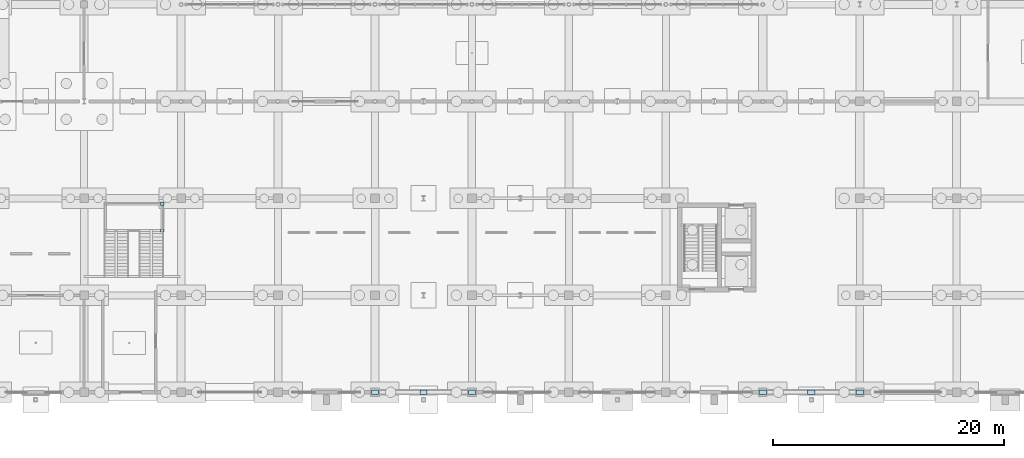
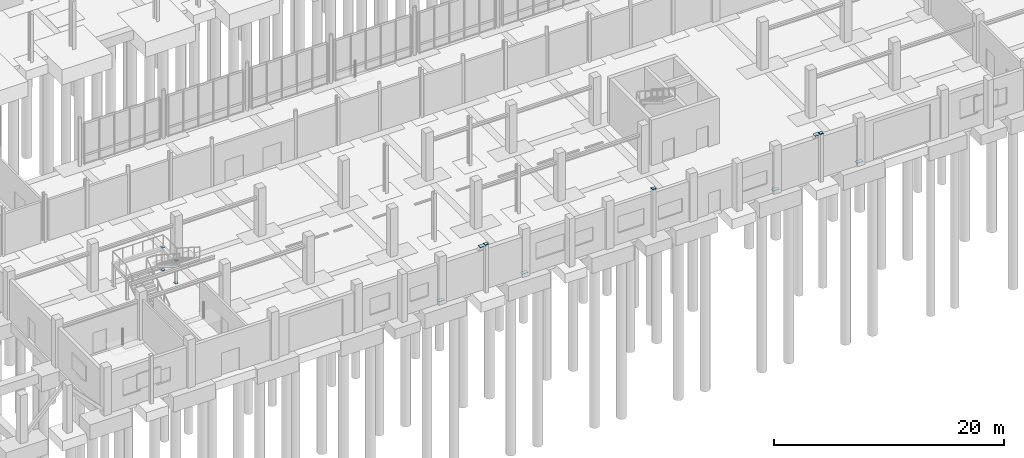
# One storey, part 75 of 119: 13 plates.
"""IFC4 building model written with IfcOpenShell, lengths in metres."""

from ifc_helpers import new_model, si_unit, derived_unit, direction, frame, origin, origin_2d, place, context, subcontext, project, spatial, rectangle, extrude, material, layer, layer_set, type_object, element, save


model = new_model("IFC4")

# Units and contexts
model_context = context("Model", 3, precision=1e-05, world=origin(), true_north=direction((0.0, 1.0)))
body_context = subcontext(model_context, "Body", "Model", "MODEL_VIEW")
ifc_project = project(units=[si_unit("LENGTHUNIT", "METRE"), si_unit("AREAUNIT", "SQUARE_METRE"), si_unit("VOLUMEUNIT", "CUBIC_METRE"), si_unit("PLANEANGLEUNIT", "RADIAN"), si_unit("MASSUNIT", "GRAM", prefix="KILO"), derived_unit("THERMALTRANSMITTANCEUNIT", [(si_unit("MASSUNIT", "GRAM", prefix="KILO"), 1), (si_unit("TIMEUNIT", "SECOND"), -3), (si_unit("THERMODYNAMICTEMPERATUREUNIT", "KELVIN"), -1)])], contexts=[model_context])

# Site, building, storey
site_placement = place(None, origin())
site = spatial("IfcSite", under=ifc_project, at=site_placement, CompositionType="ELEMENT")
building_placement = place(site_placement, origin())
building = spatial("IfcBuilding", under=site, at=building_placement, Name="Makaiwela Harbour Ferry Terminal", CompositionType="ELEMENT")
storey_placement = place(building_placement, origin())
storey = spatial("IfcBuildingStorey", under=building, at=storey_placement, Name="L00", CompositionType="ELEMENT", Elevation=0.0)

# Plates
ifc_material = material(Name="Steel ASTM A572 Grade 50", Category="steel")
ifc_layer_1 = layer(ifc_material, 0.02001953125)
ifc_layer_set_1 = layer_set([ifc_layer_1], Name="Steel ASTM A572 Grade 50")
plate_type_1 = type_object("IfcPlateType", Name="STR-PLT-CAP1", PredefinedType="SHEET", material=ifc_layer_set_1)
for number, where, z_axis, x_axis, name in (
    (1, (78.159912109375, 14.02001953125, -0.01708984375), (0.0, 0.0, 1.0), (1.0, 0.0, 0.0), "Post Sealing Cap Plate PC-0003"),
    (2, (78.159912109375, 14.02001953125, 2.39697265625), (0.0, 0.0, 1.0), (1.0, 0.0, 0.0), "Post Sealing Cap Plate PC-0004"),
    (3, (78.159912109375, 16.330078125, -0.01708984375), (0.0, 0.0, 1.0), (1.0, 0.0, 0.0), "Post Sealing Cap Plate PC-0007"),
    (4, (78.159912109375, 16.330078125, 2.39697265625), (0.0, 0.0, 1.0), (1.0, 0.0, 0.0), "Post Sealing Cap Plate PC-0008"),
):
    element("IfcPlate", number, at=place(storey_placement, frame(where, z_axis=z_axis, x_axis=x_axis)), inside=storey, type_object=plate_type_1, Name=name, PredefinedType="SHEET", context=body_context, shape_type="SweptSolid", body=[
        extrude(rectangle(XDim=0.280029296875, YDim=0.280029296875, at=origin_2d()), origin(), (0.0, 0.0, 1.0), 0.02001953125),
    ])
ifc_layer_2 = layer(ifc_material, 0.02197265625)
ifc_layer_set_2 = layer_set([ifc_layer_2], Name="Steel ASTM A572 Grade 50")
plate_type_2 = type_object("IfcPlateType", Name="STR-PLT-CAP2", PredefinedType="SHEET", material=ifc_layer_set_2)
for number, where, z_axis, x_axis, name in (
    (5, (100.800048828125, -0.64990234375, 5.10009765625), (0.0, 0.0, 1.0), (1.0, 0.0, 0.0), "Welded End Cap EC-0037"),
    (6, (117.60009765625, -0.64990234375, 5.10009765625), (0.0, 0.0, 1.0), (1.0, 0.0, 0.0), "Welded End Cap EC-0038"),
    (7, (134.39990234375, -0.64990234375, 5.10009765625), (0.0, 0.0, 1.0), (1.0, 0.0, 0.0), "Welded End Cap EC-0039"),
):
    element("IfcPlate", number, at=place(storey_placement, frame(where, z_axis=z_axis, x_axis=x_axis)), inside=storey, type_object=plate_type_2, Name=name, PredefinedType="SHEET", context=body_context, shape_type="SweptSolid", body=[
        extrude(rectangle(XDim=0.340087890625, YDim=0.340087890625, at=origin_2d()), origin(), (0.0, 0.0, 1.0), 0.02197265625),
    ])
ifc_layer_3 = layer(ifc_material, 0.028076171875)
ifc_layer_set_3 = layer_set([ifc_layer_3], Name="Steel ASTM A572 Grade 50")
plate_type_3 = type_object("IfcPlateType", Name="STR-PLT-GUS3", PredefinedType="USERDEFINED", material=ifc_layer_set_3)
for number, where, z_axis, x_axis, name in (
    (8, (100.800048828125, 0.0, 4.51123046875), (0.0, 0.0, 1.0), (1.0, 0.0, 0.0), "Truss Gusset Plate GP-112"),
    (9, (96.60009765625, 0.0, 0.2060546875), (0.0, 0.0, 1.0), (1.0, 0.0, 0.0), "Truss Gusset Plate GP-113"),
    (10, (105.0, 0.0, 0.2060546875), (0.0, 0.0, 1.0), (1.0, 0.0, 0.0), "Truss Gusset Plate GP-114"),
    (11, (134.39990234375, 0.0, 4.5703125), (0.0, 0.0, 1.0), (1.0, 0.0, 0.0), "Truss Gusset Plate GP-115"),
    (12, (130.199951171875, 0.0, 0.2060546875), (0.0, 0.0, 1.0), (1.0, 0.0, 0.0), "Truss Gusset Plate GP-116"),
    (13, (138.60009765625, 0.0, 0.2060546875), (0.0, 0.0, 1.0), (1.0, 0.0, 0.0), "Truss Gusset Plate GP-117"),
):
    element("IfcPlate", number, at=place(storey_placement, frame(where, z_axis=z_axis, x_axis=x_axis)), inside=storey, type_object=plate_type_3, Name=name, ObjectType="GUSSET PLATE", PredefinedType="USERDEFINED", context=body_context, shape_type="SweptSolid", body=[
        extrude(rectangle(XDim=0.639892578125, YDim=0.39990234375, at=origin_2d()), origin(), (0.0, 0.0, 1.0), 0.028076171875),
    ])

save(model, "model.ifc")
